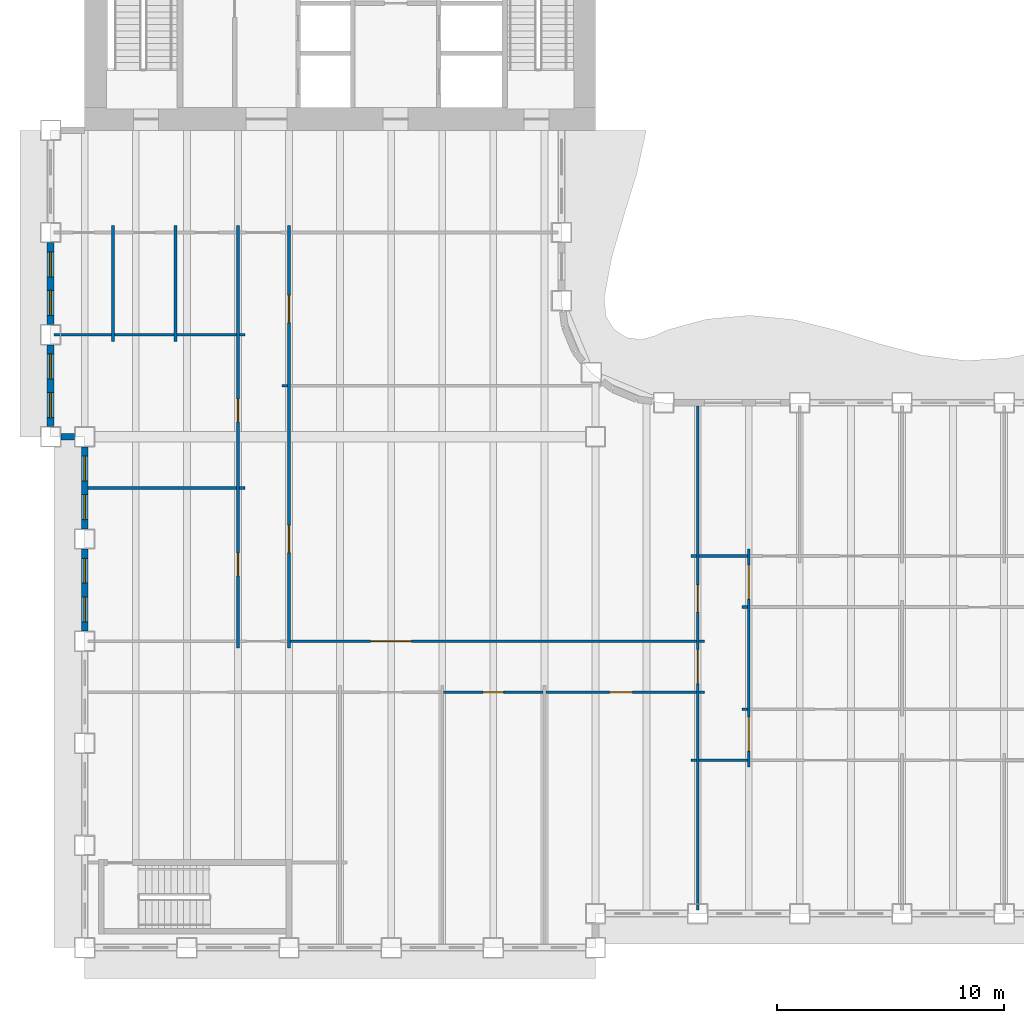
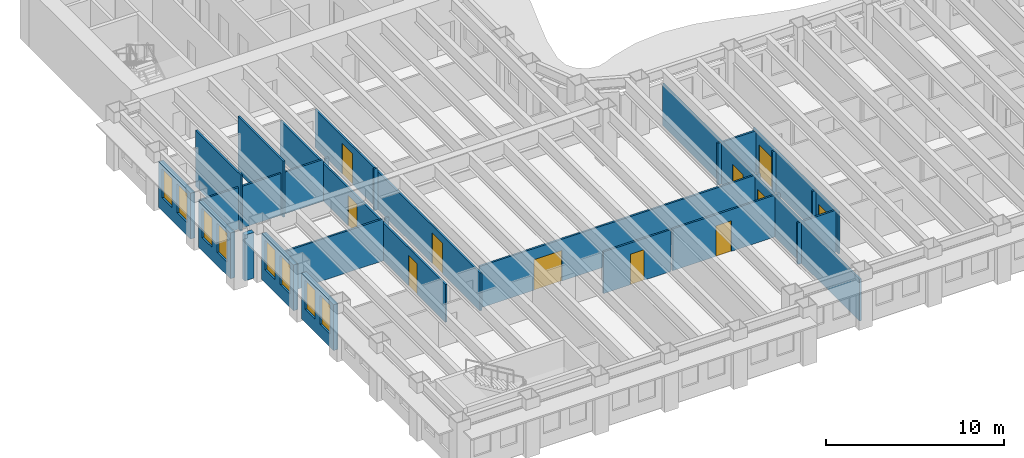
# One storey, part 4 of 16: 29 walls, 11 doors, 8 windows, 19 openings.
"""IFC4 building model written with IfcOpenShell, lengths in metres."""

from ifc_helpers import new_model, si_unit, direction, frame, frame_2d, origin, place, context, subcontext, project, spatial, rectangle, extrude, material, layer, layer_set, type_object, element, fill, save


model = new_model("IFC4")

# Units and contexts
model_context = context("Model", 3, precision=1e-05, world=origin(), true_north=direction((0.0, 1.0)))
body_context = subcontext(model_context, "Body", "Model", "MODEL_VIEW")
ifc_project = project(units=[si_unit("LENGTHUNIT", "METRE"), si_unit("AREAUNIT", "SQUARE_METRE"), si_unit("VOLUMEUNIT", "CUBIC_METRE"), si_unit("PLANEANGLEUNIT", "RADIAN"), si_unit("MASSUNIT", "GRAM", prefix="KILO")], contexts=[model_context])

# Site, building, storey
site_placement = place(None, origin())
site = spatial("IfcSite", under=ifc_project, at=site_placement, CompositionType="ELEMENT")
building_placement = place(site_placement, origin())
building = spatial("IfcBuilding", under=site, at=building_placement, Name="Sennacour Bend Tower", CompositionType="ELEMENT")
storey_placement = place(building_placement, frame((0.0, 0.0, 175.0)))
storey = spatial("IfcBuildingStorey", under=building, at=storey_placement, Name="L40", CompositionType="ELEMENT", Elevation=175.0)

# Walls
ifc_material_1 = material(Name="Plasterboard partition on steel studs", Category="steel")
ifc_layer_1 = layer(ifc_material_1, 0.1201171875, Name="Plasterboard partition on steel studs", Category="steel")
ifc_layer_set_1 = layer_set([ifc_layer_1], Name="Plasterboard partition on steel studs")
wall_type_1 = type_object("IfcWallType", Name="Partition 120", PredefinedType="PARTITIONING", material=ifc_layer_set_1)
for number, where, z_axis, x_axis, name in (
    (1, (1.25, 26.699951171875, 0.0), (0.0, 0.0, 1.0), (0.0, 1.0, 0.0), "P-L40-W004a"),
    (2, (4.0, 26.699951171875, 0.0), (0.0, 0.0, 1.0), (0.0, 1.0, 0.0), "P-L40-W006a"),
):
    element("IfcWall", number, at=place(storey_placement, frame(where, z_axis=z_axis, x_axis=x_axis)), inside=storey, type_object=wall_type_1, Name=name, PredefinedType="PARTITIONING", context=body_context, shape_type="SweptSolid", body=[
        extrude(rectangle(XDim=5.10009765625, YDim=0.1201171875, at=frame_2d((2.550048828125, 0.0))), origin(), (0.0, 0.0, 1.0), 3.85009765625),
    ])

# Wall, openings, doors
wall_1_placement = place(storey_placement, frame((6.75, 13.199951171875, 0.0), z_axis=(0.0, 0.0, 1.0), x_axis=(0.0, 1.0, 0.0)))
wall_1 = element("IfcWall", 3, at=wall_1_placement, inside=storey, type_object=wall_type_1, Name="P-L40-W010a", PredefinedType="PARTITIONING", context=body_context, shape_type="SweptSolid", body=[
    extrude(rectangle(XDim=18.60009765625, YDim=0.1201171875, at=frame_2d((9.300048828125, 0.0))), origin(), (0.0, 0.0, 1.0), 2.60009765625),
])
opening_1_placement = place(wall_1_placement, frame((3.175048828125, 0.0, 0.0)))
opening_1 = element("IfcOpeningElement", 4, at=opening_1_placement, cuts=wall_1, Name="Opening OD2", PredefinedType="OPENING", context=body_context, shape_type="SweptSolid", body=[
    extrude(rectangle(XDim=1.0, YDim=2.10009765625, at=frame_2d((0.5, 1.050048828125))), frame((0.0, 0.070068359375, 0.0), z_axis=(0.0, -1.0, 0.0), x_axis=(1.0, 0.0, 0.0)), (0.0, 0.0, 1.0), 0.14013671875),
])
opening_2_placement = place(wall_1_placement, frame((9.955078125, 0.0, 0.0)))
opening_2 = element("IfcOpeningElement", 5, at=opening_2_placement, cuts=wall_1, Name="Opening OD2", PredefinedType="OPENING", context=body_context, shape_type="SweptSolid", body=[
    extrude(rectangle(XDim=1.0, YDim=2.10009765625, at=frame_2d((0.5, 1.050048828125))), frame((0.0, 0.070068359375, 0.0), z_axis=(0.0, -1.0, 0.0), x_axis=(1.0, 0.0, 0.0)), (0.0, 0.0, 1.0), 0.14013671875),
])
ifc_material_2 = material(Name="Timber", Category="wood")
door_type_1 = type_object("IfcDoorType", Name="DR-OFFICE-1000", OperationType="NOTDEFINED", PredefinedType="DOOR", material=ifc_material_2)
door_1_placement = place(opening_1_placement, origin())
door_1 = element("IfcDoor", 6, at=door_1_placement, inside=storey, type_object=door_type_1, Name="Door", OperationType="SINGLE_SWING_LEFT", OverallHeight=2.10009765625, OverallWidth=1.0, PredefinedType="DOOR", context=body_context, shape_type="SweptSolid", body=[
    extrude(rectangle(XDim=1.0, YDim=2.10009765625, at=frame_2d((0.5, 1.050048828125))), frame((0.0, 0.02490234375, 0.0), z_axis=(0.0, -1.0, 0.0), x_axis=(1.0, 0.0, 0.0)), (0.0, 0.0, 1.0), 0.050048828125),
])
fill(opening_1, door_1)
door_2_placement = place(opening_2_placement, origin())
door_2 = element("IfcDoor", 7, at=door_2_placement, inside=storey, type_object=door_type_1, Name="Door", OperationType="SINGLE_SWING_RIGHT", OverallHeight=2.10009765625, OverallWidth=1.0, PredefinedType="DOOR", context=body_context, shape_type="SweptSolid", body=[
    extrude(rectangle(XDim=1.0, YDim=2.10009765625, at=frame_2d((0.5, 1.050048828125))), frame((0.0, 0.02490234375, 0.0), z_axis=(0.0, -1.0, 0.0), x_axis=(1.0, 0.0, 0.0)), (0.0, 0.0, 1.0), 0.050048828125),
])
fill(opening_2, door_2)

wall_2_placement = place(storey_placement, frame((9.0, 13.199951171875, 0.0), z_axis=(0.0, 0.0, 1.0), x_axis=(0.0, 1.0, 0.0)))
wall_2 = element("IfcWall", 8, at=wall_2_placement, inside=storey, type_object=wall_type_1, Name="P-L40-W012a", PredefinedType="PARTITIONING", context=body_context, shape_type="SweptSolid", body=[
    extrude(rectangle(XDim=18.60009765625, YDim=0.1201171875, at=frame_2d((9.300048828125, 0.0))), origin(), (0.0, 0.0, 1.0), 2.60009765625),
])
opening_3_placement = place(wall_2_placement, frame((14.324951171875, 0.0, 0.0)))
opening_3 = element("IfcOpeningElement", 9, at=opening_3_placement, cuts=wall_2, Name="Opening MD", PredefinedType="OPENING", context=body_context, shape_type="SweptSolid", body=[
    extrude(rectangle(XDim=1.199951171875, YDim=2.10009765625, at=frame_2d((0.60009765625, 1.050048828125))), frame((0.0, 0.070068359375, 0.0), z_axis=(0.0, -1.0, 0.0), x_axis=(1.0, 0.0, 0.0)), (0.0, 0.0, 1.0), 0.14013671875),
])
opening_4_placement = place(wall_2_placement, frame((4.199951171875, 0.0, 0.0)))
opening_4 = element("IfcOpeningElement", 10, at=opening_4_placement, cuts=wall_2, Name="Opening OD", PredefinedType="OPENING", context=body_context, shape_type="SweptSolid", body=[
    extrude(rectangle(XDim=1.199951171875, YDim=2.10009765625, at=frame_2d((0.60009765625, 1.050048828125))), frame((0.0, 0.070068359375, 0.0), z_axis=(0.0, -1.0, 0.0), x_axis=(1.0, 0.0, 0.0)), (0.0, 0.0, 1.0), 0.14013671875),
])
door_type_2 = type_object("IfcDoorType", Name="DR-MEETING-1200", OperationType="NOTDEFINED", PredefinedType="DOOR", material=ifc_material_2)
door_3_placement = place(opening_3_placement, origin())
door_3 = element("IfcDoor", 11, at=door_3_placement, inside=storey, type_object=door_type_2, Name="Door", OperationType="SINGLE_SWING_RIGHT", OverallHeight=2.10009765625, OverallWidth=1.199951171875, PredefinedType="DOOR", context=body_context, shape_type="SweptSolid", body=[
    extrude(rectangle(XDim=1.199951171875, YDim=2.10009765625, at=frame_2d((0.60009765625, 1.050048828125))), frame((0.0, 0.02490234375, 0.0), z_axis=(0.0, -1.0, 0.0), x_axis=(1.0, 0.0, 0.0)), (0.0, 0.0, 1.0), 0.050048828125),
])
fill(opening_3, door_3)
door_type_3 = type_object("IfcDoorType", Name="DR-OFFICE-1200", OperationType="NOTDEFINED", PredefinedType="DOOR", material=ifc_material_2)
door_4_placement = place(opening_4_placement, origin())
door_4 = element("IfcDoor", 12, at=door_4_placement, inside=storey, type_object=door_type_3, Name="Door", OperationType="SINGLE_SWING_LEFT", OverallHeight=2.10009765625, OverallWidth=1.199951171875, PredefinedType="DOOR", context=body_context, shape_type="SweptSolid", body=[
    extrude(rectangle(XDim=1.199951171875, YDim=2.10009765625, at=frame_2d((0.60009765625, 1.050048828125))), frame((0.0, 0.02490234375, 0.0), z_axis=(0.0, -1.0, 0.0), x_axis=(1.0, 0.0, 0.0)), (0.0, 0.0, 1.0), 0.050048828125),
])
fill(opening_4, door_4)

# Walls
wall_3_placement = place(storey_placement, frame((26.699951171875, 8.25, 0.0), z_axis=(0.0, 0.0, 1.0), x_axis=(1.0, 0.0, 0.0)))
element("IfcWall", 13, at=wall_3_placement, inside=storey, type_object=wall_type_1, Name="P-L40-W060aa", PredefinedType="PARTITIONING", context=body_context, shape_type="SweptSolid", body=[
    extrude(rectangle(XDim=0.239990234375, YDim=0.1201171875, at=frame_2d((0.1201171875, 0.0))), origin(), (0.0, 0.0, 1.0), 2.8701171875),
])
wall_4_placement = place(storey_placement, frame((27.06005859375, 8.25, 0.0), z_axis=(0.0, 0.0, 1.0), x_axis=(1.0, 0.0, 0.0)))
element("IfcWall", 14, at=wall_4_placement, inside=storey, type_object=wall_type_1, Name="P-L40-W060ab", PredefinedType="PARTITIONING", context=body_context, shape_type="SweptSolid", body=[
    extrude(rectangle(XDim=2.1298828125, YDim=0.1201171875, at=frame_2d((1.06494140625, 0.0))), origin(), (0.0, 0.0, 1.0), 2.8701171875),
])
wall_5_placement = place(storey_placement, frame((28.949951171875, 10.5, 0.0), z_axis=(0.0, 0.0, 1.0), x_axis=(1.0, 0.0, 0.0)))
element("IfcWall", 15, at=wall_5_placement, inside=storey, type_object=wall_type_1, Name="P-L40-W063aa", PredefinedType="PARTITIONING", context=body_context, shape_type="SweptSolid", body=[
    extrude(rectangle(XDim=0.239990234375, YDim=0.1201171875, at=frame_2d((0.1201171875, 0.0))), origin(), (0.0, 0.0, 1.0), 2.8701171875),
])

# Wall, opening, door
wall_6_placement = place(storey_placement, frame((20.31005859375, 11.25, 0.0), z_axis=(0.0, 0.0, 1.0), x_axis=(1.0, 0.0, 0.0)))
wall_6 = element("IfcWall", 16, at=wall_6_placement, inside=storey, type_object=wall_type_1, Name="P-L40-W064ad", PredefinedType="PARTITIONING", context=body_context, shape_type="SweptSolid", body=[
    extrude(rectangle(XDim=6.6298828125, YDim=0.1201171875, at=frame_2d((3.31494140625, 0.0))), origin(), (0.0, 0.0, 1.0), 2.8701171875),
])
opening_5_placement = place(wall_6_placement, frame((2.81494140625, 0.0, 0.0)))
opening_5 = element("IfcOpeningElement", 17, at=opening_5_placement, cuts=wall_6, Name="Opening MD2", PredefinedType="OPENING", context=body_context, shape_type="SweptSolid", body=[
    extrude(rectangle(XDim=1.0, YDim=2.10009765625, at=frame_2d((0.5, 1.050048828125))), frame((0.0, 0.070068359375, 0.0), z_axis=(0.0, -1.0, 0.0), x_axis=(1.0, 0.0, 0.0)), (0.0, 0.0, 1.0), 0.14013671875),
])
door_type_4 = type_object("IfcDoorType", Name="DR-MEETING-1000", OperationType="NOTDEFINED", PredefinedType="DOOR", material=ifc_material_2)
door_5_placement = place(opening_5_placement, origin())
door_5 = element("IfcDoor", 18, at=door_5_placement, inside=storey, type_object=door_type_4, Name="Door", OperationType="SINGLE_SWING_LEFT", OverallHeight=2.10009765625, OverallWidth=1.0, PredefinedType="DOOR", context=body_context, shape_type="SweptSolid", body=[
    extrude(rectangle(XDim=1.0, YDim=2.10009765625, at=frame_2d((0.5, 1.050048828125))), frame((0.0, 0.02490234375, 0.0), z_axis=(0.0, -1.0, 0.0), x_axis=(1.0, 0.0, 0.0)), (0.0, 0.0, 1.0), 0.050048828125),
])
fill(opening_5, door_5)

# Wall
wall_7_placement = place(storey_placement, frame((27.06005859375, 11.25, 0.0), z_axis=(0.0, 0.0, 1.0), x_axis=(1.0, 0.0, 0.0)))
element("IfcWall", 19, at=wall_7_placement, inside=storey, type_object=wall_type_1, Name="P-L40-W064ae", PredefinedType="PARTITIONING", context=body_context, shape_type="SweptSolid", body=[
    extrude(rectangle(XDim=0.239990234375, YDim=0.1201171875, at=frame_2d((0.1201171875, 0.0))), origin(), (0.0, 0.0, 1.0), 2.8701171875),
])

# Wall, opening, door
wall_8_placement = place(storey_placement, frame((9.06005859375, 13.5, 0.0), z_axis=(0.0, 0.0, 1.0), x_axis=(1.0, 0.0, 0.0)))
wall_8 = element("IfcWall", 20, at=wall_8_placement, inside=storey, type_object=wall_type_1, Name="P-L40-W068ac", PredefinedType="PARTITIONING", context=body_context, shape_type="SweptSolid", body=[
    extrude(rectangle(XDim=17.8798828125, YDim=0.1201171875, at=frame_2d((8.93994140625, 0.0))), origin(), (0.0, 0.0, 1.0), 2.8701171875),
])
opening_6_placement = place(wall_8_placement, frame((3.539794921875, 0.0, 0.0)))
opening_6 = element("IfcOpeningElement", 21, at=opening_6_placement, cuts=wall_8, Name="Opening OD3", PredefinedType="OPENING", context=body_context, shape_type="SweptSolid", body=[
    extrude(rectangle(XDim=1.800048828125, YDim=2.10009765625, at=frame_2d((0.89990234375, 1.050048828125))), frame((0.0, 0.070068359375, 0.0), z_axis=(0.0, -1.0, 0.0), x_axis=(1.0, 0.0, 0.0)), (0.0, 0.0, 1.0), 0.14013671875),
])
door_type_5 = type_object("IfcDoorType", Name="DR-OFFICE-1800", OperationType="NOTDEFINED", PredefinedType="DOOR", material=ifc_material_2)
door_6_placement = place(opening_6_placement, origin())
door_6 = element("IfcDoor", 22, at=door_6_placement, inside=storey, type_object=door_type_5, Name="Door", OperationType="DOUBLE_DOOR_SINGLE_SWING", OverallHeight=2.10009765625, OverallWidth=1.800048828125, PredefinedType="DOOR", context=body_context, shape_type="SweptSolid", body=[
    extrude(rectangle(XDim=1.800048828125, YDim=2.10009765625, at=frame_2d((0.89990234375, 1.050048828125))), frame((0.0, 0.02490234375, 0.0), z_axis=(0.0, -1.0, 0.0), x_axis=(1.0, 0.0, 0.0)), (0.0, 0.0, 1.0), 0.050048828125),
])
fill(opening_6, door_6)

# Walls
for number, where, z_axis, x_axis, name in (
    (23, (27.06005859375, 13.5, 0.0), (0.0, 0.0, 1.0), (1.0, 0.0, 0.0), "P-L40-W068ad"),
    (24, (28.949951171875, 15.0, 0.0), (0.0, 0.0, 1.0), (1.0, 0.0, 0.0), "P-L40-W070aa"),
    (25, (26.699951171875, 17.25, 0.0), (0.0, 0.0, 1.0), (1.0, 0.0, 0.0), "P-L40-W073aa"),
):
    element("IfcWall", number, at=place(storey_placement, frame(where, z_axis=z_axis, x_axis=x_axis)), inside=storey, type_object=wall_type_1, Name=name, PredefinedType="PARTITIONING", context=body_context, shape_type="SweptSolid", body=[
        extrude(rectangle(XDim=0.239990234375, YDim=0.1201171875, at=frame_2d((0.1201171875, 0.0))), origin(), (0.0, 0.0, 1.0), 2.8701171875),
    ])
wall_9_placement = place(storey_placement, frame((27.06005859375, 17.25, 0.0), z_axis=(0.0, 0.0, 1.0), x_axis=(1.0, 0.0, 0.0)))
element("IfcWall", 26, at=wall_9_placement, inside=storey, type_object=wall_type_1, Name="P-L40-W073ab", PredefinedType="PARTITIONING", context=body_context, shape_type="SweptSolid", body=[
    extrude(rectangle(XDim=2.1298828125, YDim=0.1201171875, at=frame_2d((1.06494140625, 0.0))), origin(), (0.0, 0.0, 1.0), 2.8701171875),
])
wall_10_placement = place(storey_placement, frame((0.14990234375, 20.25, 0.0), z_axis=(0.0, 0.0, 1.0), x_axis=(1.0, 0.0, 0.0)))
element("IfcWall", 27, at=wall_10_placement, inside=storey, type_object=wall_type_1, Name="P-L40-W078aa", PredefinedType="PARTITIONING", context=body_context, shape_type="SweptSolid", body=[
    extrude(rectangle(XDim=6.5400390625, YDim=0.1201171875, at=frame_2d((3.27001953125, 0.0))), origin(), (0.0, 0.0, 1.0), 2.8701171875),
])
for number, where, z_axis, x_axis, name in (
    (28, (6.81005859375, 20.25, 0.0), (0.0, 0.0, 1.0), (1.0, 0.0, 0.0), "P-L40-W078ab"),
    (29, (8.699951171875, 24.75, 0.0), (0.0, 0.0, 1.0), (1.0, 0.0, 0.0), "P-L40-W080aa"),
):
    element("IfcWall", number, at=place(storey_placement, frame(where, z_axis=z_axis, x_axis=x_axis)), inside=storey, type_object=wall_type_1, Name=name, PredefinedType="PARTITIONING", context=body_context, shape_type="SweptSolid", body=[
        extrude(rectangle(XDim=0.239990234375, YDim=0.1201171875, at=frame_2d((0.1201171875, 0.0))), origin(), (0.0, 0.0, 1.0), 2.8701171875),
    ])
wall_11_placement = place(storey_placement, frame((-1.35009765625, 27.0, 0.0), z_axis=(0.0, 0.0, 1.0), x_axis=(1.0, 0.0, 0.0)))
element("IfcWall", 30, at=wall_11_placement, inside=storey, type_object=wall_type_1, Name="P-L40-W081aa", PredefinedType="PARTITIONING", context=body_context, shape_type="SweptSolid", body=[
    extrude(rectangle(XDim=2.5400390625, YDim=0.1201171875, at=frame_2d((1.27001953125, 0.0))), origin(), (0.0, 0.0, 1.0), 2.8701171875),
])
for number, where, z_axis, x_axis, name in (
    (31, (1.31005859375, 27.0, 0.0), (0.0, 0.0, 1.0), (1.0, 0.0, 0.0), "P-L40-W081ab"),
    (32, (4.06005859375, 27.0, 0.0), (0.0, 0.0, 1.0), (1.0, 0.0, 0.0), "P-L40-W081ac"),
):
    element("IfcWall", number, at=place(storey_placement, frame(where, z_axis=z_axis, x_axis=x_axis)), inside=storey, type_object=wall_type_1, Name=name, PredefinedType="PARTITIONING", context=body_context, shape_type="SweptSolid", body=[
        extrude(rectangle(XDim=2.6298828125, YDim=0.1201171875, at=frame_2d((1.31494140625, 0.0))), origin(), (0.0, 0.0, 1.0), 2.8701171875),
    ])
wall_12_placement = place(storey_placement, frame((6.81005859375, 27.0, 0.0), z_axis=(0.0, 0.0, 1.0), x_axis=(1.0, 0.0, 0.0)))
element("IfcWall", 33, at=wall_12_placement, inside=storey, type_object=wall_type_1, Name="P-L40-W081ad", PredefinedType="PARTITIONING", context=body_context, shape_type="SweptSolid", body=[
    extrude(rectangle(XDim=0.239990234375, YDim=0.1201171875, at=frame_2d((0.1201171875, 0.0))), origin(), (0.0, 0.0, 1.0), 2.8701171875),
])

# Wall, openings, doors
ifc_layer_2 = layer(ifc_material_1, 0.1201171875, Name="Plasterboard partition on steel studs", Category="steel")
ifc_layer_set_2 = layer_set([ifc_layer_2], Name="Plasterboard partition on steel studs")
wall_type_2 = type_object("IfcWallType", Name="Partition 120 EI 30", PredefinedType="PARTITIONING", material=ifc_layer_set_2)
wall_13_placement = place(storey_placement, frame((27.0, 1.64990234375, 0.0), z_axis=(0.0, 0.0, 1.0), x_axis=(0.0, 1.0, 0.0)))
wall_13 = element("IfcWall", 34, at=wall_13_placement, inside=storey, type_object=wall_type_2, Name="P-L40-W027a", PredefinedType="PARTITIONING", context=body_context, shape_type="SweptSolid", body=[
    extrude(rectangle(XDim=22.2001953125, YDim=0.1201171875, at=frame_2d((11.10009765625, 0.0))), origin(), (0.0, 0.0, 1.0), 2.8701171875),
])
opening_7_placement = place(wall_13_placement, frame((9.97509765625, 0.0, 0.0)))
opening_7 = element("IfcOpeningElement", 35, at=opening_7_placement, cuts=wall_13, Name="Opening KD", PredefinedType="OPENING", context=body_context, shape_type="SweptSolid", body=[
    extrude(rectangle(XDim=1.5, YDim=2.10009765625, at=frame_2d((0.75, 1.050048828125))), frame((0.0, 0.070068359375, 0.0), z_axis=(0.0, -1.0, 0.0), x_axis=(1.0, 0.0, 0.0)), (0.0, 0.0, 1.0), 0.14013671875),
])
opening_8_placement = place(wall_13_placement, frame((13.125, 0.0, 0.0)))
opening_8 = element("IfcOpeningElement", 36, at=opening_8_placement, cuts=wall_13, Name="Opening OD", PredefinedType="OPENING", context=body_context, shape_type="SweptSolid", body=[
    extrude(rectangle(XDim=1.199951171875, YDim=2.10009765625, at=frame_2d((0.60009765625, 1.050048828125))), frame((0.0, 0.070068359375, 0.0), z_axis=(0.0, -1.0, 0.0), x_axis=(1.0, 0.0, 0.0)), (0.0, 0.0, 1.0), 0.14013671875),
])
ifc_material_3 = material(Name="Painted steel", Category="steel")
door_type_6 = type_object("IfcDoorType", Name="DR-CORRIDOR-1500", OperationType="NOTDEFINED", PredefinedType="DOOR", material=ifc_material_3)
door_7_placement = place(opening_7_placement, origin())
door_7 = element("IfcDoor", 37, at=door_7_placement, inside=storey, type_object=door_type_6, Name="Door", OperationType="SINGLE_SWING_LEFT", OverallHeight=2.10009765625, OverallWidth=1.5, PredefinedType="DOOR", context=body_context, shape_type="SweptSolid", body=[
    extrude(rectangle(XDim=1.5, YDim=2.10009765625, at=frame_2d((0.75, 1.050048828125))), frame((0.0, 0.02490234375, 0.0), z_axis=(0.0, -1.0, 0.0), x_axis=(1.0, 0.0, 0.0)), (0.0, 0.0, 1.0), 0.050048828125),
])
fill(opening_7, door_7)
door_8_placement = place(opening_8_placement, origin())
door_8 = element("IfcDoor", 38, at=door_8_placement, inside=storey, type_object=door_type_3, Name="Door", OperationType="SINGLE_SWING_RIGHT", OverallHeight=2.10009765625, OverallWidth=1.199951171875, PredefinedType="DOOR", context=body_context, shape_type="SweptSolid", body=[
    extrude(rectangle(XDim=1.199951171875, YDim=2.10009765625, at=frame_2d((0.60009765625, 1.050048828125))), frame((0.0, 0.02490234375, 0.0), z_axis=(0.0, -1.0, 0.0), x_axis=(1.0, 0.0, 0.0)), (0.0, 0.0, 1.0), 0.050048828125),
])
fill(opening_8, door_8)

wall_14_placement = place(storey_placement, frame((29.25, 7.949951171875, 0.0), z_axis=(0.0, 0.0, 1.0), x_axis=(0.0, 1.0, 0.0)))
wall_14 = element("IfcWall", 39, at=wall_14_placement, inside=storey, type_object=wall_type_2, Name="P-L40-W028a", PredefinedType="PARTITIONING", context=body_context, shape_type="SweptSolid", body=[
    extrude(rectangle(XDim=9.60009765625, YDim=0.1201171875, at=frame_2d((4.800048828125, 0.0))), origin(), (0.0, 0.0, 1.0), 2.8701171875),
])
opening_9_placement = place(wall_14_placement, frame((0.705078125, 0.0, 0.0)))
opening_9 = element("IfcOpeningElement", 40, at=opening_9_placement, cuts=wall_14, Name="Opening KD", PredefinedType="OPENING", context=body_context, shape_type="SweptSolid", body=[
    extrude(rectangle(XDim=1.5, YDim=2.10009765625, at=frame_2d((0.75, 1.050048828125))), frame((0.0, 0.070068359375, 0.0), z_axis=(0.0, -1.0, 0.0), x_axis=(1.0, 0.0, 0.0)), (0.0, 0.0, 1.0), 0.14013671875),
])
opening_10_placement = place(wall_14_placement, frame((7.39501953125, 0.0, 0.0)))
opening_10 = element("IfcOpeningElement", 41, at=opening_10_placement, cuts=wall_14, Name="Opening KD", PredefinedType="OPENING", context=body_context, shape_type="SweptSolid", body=[
    extrude(rectangle(XDim=1.5, YDim=2.10009765625, at=frame_2d((0.75, 1.050048828125))), frame((0.0, 0.070068359375, 0.0), z_axis=(0.0, -1.0, 0.0), x_axis=(1.0, 0.0, 0.0)), (0.0, 0.0, 1.0), 0.14013671875),
])
door_9_placement = place(opening_9_placement, origin())
door_9 = element("IfcDoor", 42, at=door_9_placement, inside=storey, type_object=door_type_6, Name="Door", OperationType="SINGLE_SWING_LEFT", OverallHeight=2.10009765625, OverallWidth=1.5, PredefinedType="DOOR", context=body_context, shape_type="SweptSolid", body=[
    extrude(rectangle(XDim=1.5, YDim=2.10009765625, at=frame_2d((0.75, 1.050048828125))), frame((0.0, 0.02490234375, 0.0), z_axis=(0.0, -1.0, 0.0), x_axis=(1.0, 0.0, 0.0)), (0.0, 0.0, 1.0), 0.050048828125),
])
fill(opening_9, door_9)
door_10_placement = place(opening_10_placement, origin())
door_10 = element("IfcDoor", 43, at=door_10_placement, inside=storey, type_object=door_type_6, Name="Door", OperationType="SINGLE_SWING_RIGHT", OverallHeight=2.10009765625, OverallWidth=1.5, PredefinedType="DOOR", context=body_context, shape_type="SweptSolid", body=[
    extrude(rectangle(XDim=1.5, YDim=2.10009765625, at=frame_2d((0.75, 1.050048828125))), frame((0.0, 0.02490234375, 0.0), z_axis=(0.0, -1.0, 0.0), x_axis=(1.0, 0.0, 0.0)), (0.0, 0.0, 1.0), 0.050048828125),
])
fill(opening_10, door_10)

# Wall, opening, door
ifc_layer_3 = layer(ifc_material_1, 0.1201171875, Name="Plasterboard partition on steel studs", Category="steel")
ifc_layer_set_3 = layer_set([ifc_layer_3], Name="Plasterboard partition on steel studs")
wall_type_3 = type_object("IfcWallType", Name="Partition 120 EI 60", PredefinedType="PARTITIONING", material=ifc_layer_set_3)
wall_15_placement = place(storey_placement, frame((15.81005859375, 11.25, 0.0), z_axis=(0.0, 0.0, 1.0), x_axis=(1.0, 0.0, 0.0)))
wall_15 = element("IfcWall", 44, at=wall_15_placement, inside=storey, type_object=wall_type_3, Name="P-L40-W064ac", PredefinedType="PARTITIONING", context=body_context, shape_type="SweptSolid", body=[
    extrude(rectangle(XDim=4.3798828125, YDim=0.1201171875, at=frame_2d((2.18994140625, 0.0))), origin(), (0.0, 0.0, 1.0), 2.8701171875),
])
opening_11_placement = place(wall_15_placement, frame((1.739990234375, 0.0, 0.0)))
opening_11 = element("IfcOpeningElement", 45, at=opening_11_placement, cuts=wall_15, Name="Opening SV", PredefinedType="OPENING", context=body_context, shape_type="SweptSolid", body=[
    extrude(rectangle(XDim=0.89990234375, YDim=2.10009765625, at=frame_2d((0.449951171875, 1.050048828125))), frame((0.0, 0.070068359375, 0.0), z_axis=(0.0, -1.0, 0.0), x_axis=(1.0, 0.0, 0.0)), (0.0, 0.0, 1.0), 0.14013671875),
])
door_type_7 = type_object("IfcDoorType", Name="DR-SERVICE-900", OperationType="NOTDEFINED", PredefinedType="DOOR", material=ifc_material_3)
door_11_placement = place(opening_11_placement, origin())
door_11 = element("IfcDoor", 46, at=door_11_placement, inside=storey, type_object=door_type_7, Name="Door", OperationType="SINGLE_SWING_LEFT", OverallHeight=2.10009765625, OverallWidth=0.89990234375, PredefinedType="DOOR", context=body_context, shape_type="SweptSolid", body=[
    extrude(rectangle(XDim=0.89990234375, YDim=2.10009765625, at=frame_2d((0.449951171875, 1.050048828125))), frame((0.0, 0.02490234375, 0.0), z_axis=(0.0, -1.0, 0.0), x_axis=(1.0, 0.0, 0.0)), (0.0, 0.0, 1.0), 0.050048828125),
])
fill(opening_11, door_11)

# Wall, openings, windows
ifc_material_4 = material(Name="Warm limestone cladding", Category="masonry")
ifc_layer_4 = layer(ifc_material_4, 0.050048828125, Name="Warm limestone cladding", Category="masonry")
ifc_material_5 = material(Name="Precast concrete C40/50", Category="concrete")
ifc_layer_5 = layer(ifc_material_5, 0.25, Name="Precast concrete C40/50", Category="concrete")
ifc_layer_set_4 = layer_set([ifc_layer_4, ifc_layer_5], Name="Precast concrete C40/50 with limestone cladding")
wall_type_4 = type_object("IfcWallType", Name="STONE-CLAD PRECAST SPANDREL 300", PredefinedType="STANDARD", material=ifc_layer_set_4)
wall_16_placement = place(storey_placement, frame((-1.5, 31.050048828125, 0.0), z_axis=(0.0, 0.0, 1.0), x_axis=(0.0, -1.0, 0.0)))
wall_16 = element("IfcWall", 47, at=wall_16_placement, inside=storey, type_object=wall_type_4, Name="Stone spandrel and pier wall L40 21.01", PredefinedType="STANDARD", context=body_context, shape_type="SweptSolid", body=[
    extrude(rectangle(XDim=3.60009765625, YDim=0.300048828125, at=frame_2d((1.800048828125, 0.0))), origin(), (0.0, 0.0, 1.0), 3.14892578125),
])
opening_12_placement = place(wall_16_placement, frame((0.39990234375, 0.0, 0.89990234375)))
opening_12 = element("IfcOpeningElement", 48, at=opening_12_placement, cuts=wall_16, Name="Opening W19", PredefinedType="OPENING", context=body_context, shape_type="SweptSolid", body=[
    extrude(rectangle(XDim=1.10009765625, YDim=2.0, at=frame_2d((0.550048828125, 1.0))), frame((0.0, 0.16015625, 0.0), z_axis=(0.0, -1.0, 0.0), x_axis=(1.0, 0.0, 0.0)), (0.0, 0.0, 1.0), 0.320068359375),
])
opening_13_placement = place(wall_16_placement, frame((2.10009765625, 0.0, 0.89990234375)))
opening_13 = element("IfcOpeningElement", 49, at=opening_13_placement, cuts=wall_16, Name="Opening W19", PredefinedType="OPENING", context=body_context, shape_type="SweptSolid", body=[
    extrude(rectangle(XDim=1.10009765625, YDim=2.0, at=frame_2d((0.550048828125, 1.0))), frame((0.0, 0.16015625, 0.0), z_axis=(0.0, -1.0, 0.0), x_axis=(1.0, 0.0, 0.0)), (0.0, 0.0, 1.0), 0.320068359375),
])
ifc_material_6 = material(Name="Clear low-emissivity glass", Category="glass")
window_type = type_object("IfcWindowType", Name="WIN-RIBBON-1100x2000", PartitioningType="SINGLE_PANEL", PredefinedType="WINDOW", material=ifc_material_6)
window_1_placement = place(opening_12_placement, origin())
window_1 = element("IfcWindow", 50, at=window_1_placement, inside=storey, type_object=window_type, Name="Ribbon window L40 21.01.0", OverallHeight=2.0, OverallWidth=1.10009765625, PartitioningType="SINGLE_PANEL", PredefinedType="WINDOW", context=body_context, shape_type="SweptSolid", body=[
    extrude(rectangle(XDim=1.10009765625, YDim=2.0, at=frame_2d((0.550048828125, 1.0))), frame((0.0, 0.030029296875, 0.0), z_axis=(0.0, -1.0, 0.0), x_axis=(1.0, 0.0, 0.0)), (0.0, 0.0, 1.0), 0.06005859375),
])
fill(opening_12, window_1)
window_2_placement = place(opening_13_placement, origin())
window_2 = element("IfcWindow", 51, at=window_2_placement, inside=storey, type_object=window_type, Name="Ribbon window L40 21.01.1", OverallHeight=2.0, OverallWidth=1.10009765625, PartitioningType="SINGLE_PANEL", PredefinedType="WINDOW", context=body_context, shape_type="SweptSolid", body=[
    extrude(rectangle(XDim=1.10009765625, YDim=2.0, at=frame_2d((0.550048828125, 1.0))), frame((0.0, 0.030029296875, 0.0), z_axis=(0.0, -1.0, 0.0), x_axis=(1.0, 0.0, 0.0)), (0.0, 0.0, 1.0), 0.06005859375),
])
fill(opening_13, window_2)

wall_17_placement = place(storey_placement, frame((-1.5, 26.550048828125, 0.0), z_axis=(0.0, 0.0, 1.0), x_axis=(0.0, -1.0, 0.0)))
wall_17 = element("IfcWall", 52, at=wall_17_placement, inside=storey, type_object=wall_type_4, Name="Stone spandrel and pier wall L40 21.02", PredefinedType="STANDARD", context=body_context, shape_type="SweptSolid", body=[
    extrude(rectangle(XDim=3.60009765625, YDim=0.300048828125, at=frame_2d((1.800048828125, 0.0))), origin(), (0.0, 0.0, 1.0), 3.14892578125),
])
opening_14_placement = place(wall_17_placement, frame((0.39990234375, 0.0, 0.89990234375)))
opening_14 = element("IfcOpeningElement", 53, at=opening_14_placement, cuts=wall_17, Name="Opening W19", PredefinedType="OPENING", context=body_context, shape_type="SweptSolid", body=[
    extrude(rectangle(XDim=1.10009765625, YDim=2.0, at=frame_2d((0.550048828125, 1.0))), frame((0.0, 0.16015625, 0.0), z_axis=(0.0, -1.0, 0.0), x_axis=(1.0, 0.0, 0.0)), (0.0, 0.0, 1.0), 0.320068359375),
])
opening_15_placement = place(wall_17_placement, frame((2.10009765625, 0.0, 0.89990234375)))
opening_15 = element("IfcOpeningElement", 54, at=opening_15_placement, cuts=wall_17, Name="Opening W19", PredefinedType="OPENING", context=body_context, shape_type="SweptSolid", body=[
    extrude(rectangle(XDim=1.10009765625, YDim=2.0, at=frame_2d((0.550048828125, 1.0))), frame((0.0, 0.16015625, 0.0), z_axis=(0.0, -1.0, 0.0), x_axis=(1.0, 0.0, 0.0)), (0.0, 0.0, 1.0), 0.320068359375),
])
window_3_placement = place(opening_14_placement, origin())
window_3 = element("IfcWindow", 55, at=window_3_placement, inside=storey, type_object=window_type, Name="Ribbon window L40 21.02.0", OverallHeight=2.0, OverallWidth=1.10009765625, PartitioningType="SINGLE_PANEL", PredefinedType="WINDOW", context=body_context, shape_type="SweptSolid", body=[
    extrude(rectangle(XDim=1.10009765625, YDim=2.0, at=frame_2d((0.550048828125, 1.0))), frame((0.0, 0.030029296875, 0.0), z_axis=(0.0, -1.0, 0.0), x_axis=(1.0, 0.0, 0.0)), (0.0, 0.0, 1.0), 0.06005859375),
])
fill(opening_14, window_3)
window_4_placement = place(opening_15_placement, origin())
window_4 = element("IfcWindow", 56, at=window_4_placement, inside=storey, type_object=window_type, Name="Ribbon window L40 21.02.1", OverallHeight=2.0, OverallWidth=1.10009765625, PartitioningType="SINGLE_PANEL", PredefinedType="WINDOW", context=body_context, shape_type="SweptSolid", body=[
    extrude(rectangle(XDim=1.10009765625, YDim=2.0, at=frame_2d((0.550048828125, 1.0))), frame((0.0, 0.030029296875, 0.0), z_axis=(0.0, -1.0, 0.0), x_axis=(1.0, 0.0, 0.0)), (0.0, 0.0, 1.0), 0.06005859375),
])
fill(opening_15, window_4)

# Wall
wall_18_placement = place(storey_placement, frame((-1.050048828125, 22.5, 0.0), z_axis=(0.0, 0.0, 1.0), x_axis=(1.0, 0.0, 0.0)))
element("IfcWall", 57, at=wall_18_placement, inside=storey, type_object=wall_type_4, Name="Stone spandrel and pier wall L40 22.00", PredefinedType="STANDARD", context=body_context, shape_type="SweptSolid", body=[
    extrude(rectangle(XDim=0.60009765625, YDim=0.300048828125, at=frame_2d((0.300048828125, 0.0))), origin(), (0.0, 0.0, 1.0), 3.14892578125),
])

# Wall, openings, windows
wall_19_placement = place(storey_placement, frame((0.0, 22.050048828125, 0.0), z_axis=(0.0, 0.0, 1.0), x_axis=(0.0, -1.0, 0.0)))
wall_19 = element("IfcWall", 58, at=wall_19_placement, inside=storey, type_object=wall_type_4, Name="Stone spandrel and pier wall L40 23.00", PredefinedType="STANDARD", context=body_context, shape_type="SweptSolid", body=[
    extrude(rectangle(XDim=3.60009765625, YDim=0.300048828125, at=frame_2d((1.800048828125, 0.0))), origin(), (0.0, 0.0, 1.0), 3.14892578125),
])
opening_16_placement = place(wall_19_placement, frame((0.39990234375, 0.0, 0.89990234375)))
opening_16 = element("IfcOpeningElement", 59, at=opening_16_placement, cuts=wall_19, Name="Opening W19", PredefinedType="OPENING", context=body_context, shape_type="SweptSolid", body=[
    extrude(rectangle(XDim=1.10009765625, YDim=2.0, at=frame_2d((0.550048828125, 1.0))), frame((0.0, 0.16015625, 0.0), z_axis=(0.0, -1.0, 0.0), x_axis=(1.0, 0.0, 0.0)), (0.0, 0.0, 1.0), 0.320068359375),
])
opening_17_placement = place(wall_19_placement, frame((2.10009765625, 0.0, 0.89990234375)))
opening_17 = element("IfcOpeningElement", 60, at=opening_17_placement, cuts=wall_19, Name="Opening W19", PredefinedType="OPENING", context=body_context, shape_type="SweptSolid", body=[
    extrude(rectangle(XDim=1.10009765625, YDim=2.0, at=frame_2d((0.550048828125, 1.0))), frame((0.0, 0.16015625, 0.0), z_axis=(0.0, -1.0, 0.0), x_axis=(1.0, 0.0, 0.0)), (0.0, 0.0, 1.0), 0.320068359375),
])
window_5_placement = place(opening_16_placement, origin())
window_5 = element("IfcWindow", 61, at=window_5_placement, inside=storey, type_object=window_type, Name="Ribbon window L40 23.00.0", OverallHeight=2.0, OverallWidth=1.10009765625, PartitioningType="SINGLE_PANEL", PredefinedType="WINDOW", context=body_context, shape_type="SweptSolid", body=[
    extrude(rectangle(XDim=1.10009765625, YDim=2.0, at=frame_2d((0.550048828125, 1.0))), frame((0.0, 0.030029296875, 0.0), z_axis=(0.0, -1.0, 0.0), x_axis=(1.0, 0.0, 0.0)), (0.0, 0.0, 1.0), 0.06005859375),
])
fill(opening_16, window_5)
window_6_placement = place(opening_17_placement, origin())
window_6 = element("IfcWindow", 62, at=window_6_placement, inside=storey, type_object=window_type, Name="Ribbon window L40 23.00.1", OverallHeight=2.0, OverallWidth=1.10009765625, PartitioningType="SINGLE_PANEL", PredefinedType="WINDOW", context=body_context, shape_type="SweptSolid", body=[
    extrude(rectangle(XDim=1.10009765625, YDim=2.0, at=frame_2d((0.550048828125, 1.0))), frame((0.0, 0.030029296875, 0.0), z_axis=(0.0, -1.0, 0.0), x_axis=(1.0, 0.0, 0.0)), (0.0, 0.0, 1.0), 0.06005859375),
])
fill(opening_17, window_6)

wall_20_placement = place(storey_placement, frame((0.0, 17.550048828125, 0.0), z_axis=(0.0, 0.0, 1.0), x_axis=(0.0, -1.0, 0.0)))
wall_20 = element("IfcWall", 63, at=wall_20_placement, inside=storey, type_object=wall_type_4, Name="Stone spandrel and pier wall L40 23.01", PredefinedType="STANDARD", context=body_context, shape_type="SweptSolid", body=[
    extrude(rectangle(XDim=3.60009765625, YDim=0.300048828125, at=frame_2d((1.800048828125, 0.0))), origin(), (0.0, 0.0, 1.0), 3.14892578125),
])
opening_18_placement = place(wall_20_placement, frame((0.39990234375, 0.0, 0.89990234375)))
opening_18 = element("IfcOpeningElement", 64, at=opening_18_placement, cuts=wall_20, Name="Opening W19", PredefinedType="OPENING", context=body_context, shape_type="SweptSolid", body=[
    extrude(rectangle(XDim=1.10009765625, YDim=2.0, at=frame_2d((0.550048828125, 1.0))), frame((0.0, 0.16015625, 0.0), z_axis=(0.0, -1.0, 0.0), x_axis=(1.0, 0.0, 0.0)), (0.0, 0.0, 1.0), 0.320068359375),
])
opening_19_placement = place(wall_20_placement, frame((2.10009765625, 0.0, 0.89990234375)))
opening_19 = element("IfcOpeningElement", 65, at=opening_19_placement, cuts=wall_20, Name="Opening W19", PredefinedType="OPENING", context=body_context, shape_type="SweptSolid", body=[
    extrude(rectangle(XDim=1.10009765625, YDim=2.0, at=frame_2d((0.550048828125, 1.0))), frame((0.0, 0.16015625, 0.0), z_axis=(0.0, -1.0, 0.0), x_axis=(1.0, 0.0, 0.0)), (0.0, 0.0, 1.0), 0.320068359375),
])
window_7_placement = place(opening_18_placement, origin())
window_7 = element("IfcWindow", 66, at=window_7_placement, inside=storey, type_object=window_type, Name="Ribbon window L40 23.01.0", OverallHeight=2.0, OverallWidth=1.10009765625, PartitioningType="SINGLE_PANEL", PredefinedType="WINDOW", context=body_context, shape_type="SweptSolid", body=[
    extrude(rectangle(XDim=1.10009765625, YDim=2.0, at=frame_2d((0.550048828125, 1.0))), frame((0.0, 0.030029296875, 0.0), z_axis=(0.0, -1.0, 0.0), x_axis=(1.0, 0.0, 0.0)), (0.0, 0.0, 1.0), 0.06005859375),
])
fill(opening_18, window_7)
window_8_placement = place(opening_19_placement, origin())
window_8 = element("IfcWindow", 67, at=window_8_placement, inside=storey, type_object=window_type, Name="Ribbon window L40 23.01.1", OverallHeight=2.0, OverallWidth=1.10009765625, PartitioningType="SINGLE_PANEL", PredefinedType="WINDOW", context=body_context, shape_type="SweptSolid", body=[
    extrude(rectangle(XDim=1.10009765625, YDim=2.0, at=frame_2d((0.550048828125, 1.0))), frame((0.0, 0.030029296875, 0.0), z_axis=(0.0, -1.0, 0.0), x_axis=(1.0, 0.0, 0.0)), (0.0, 0.0, 1.0), 0.06005859375),
])
fill(opening_19, window_8)

save(model, "model.ifc")
